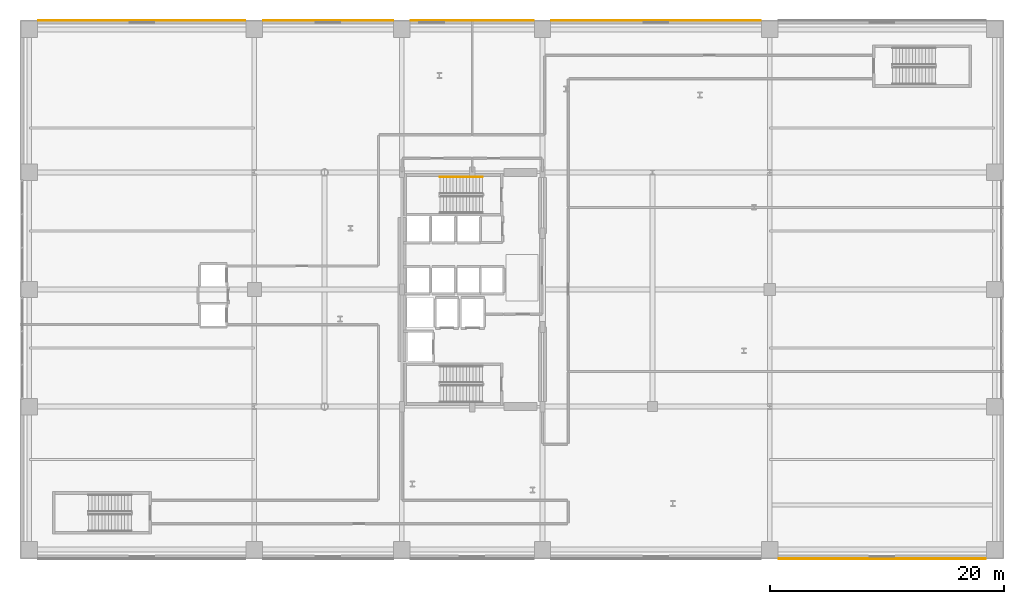
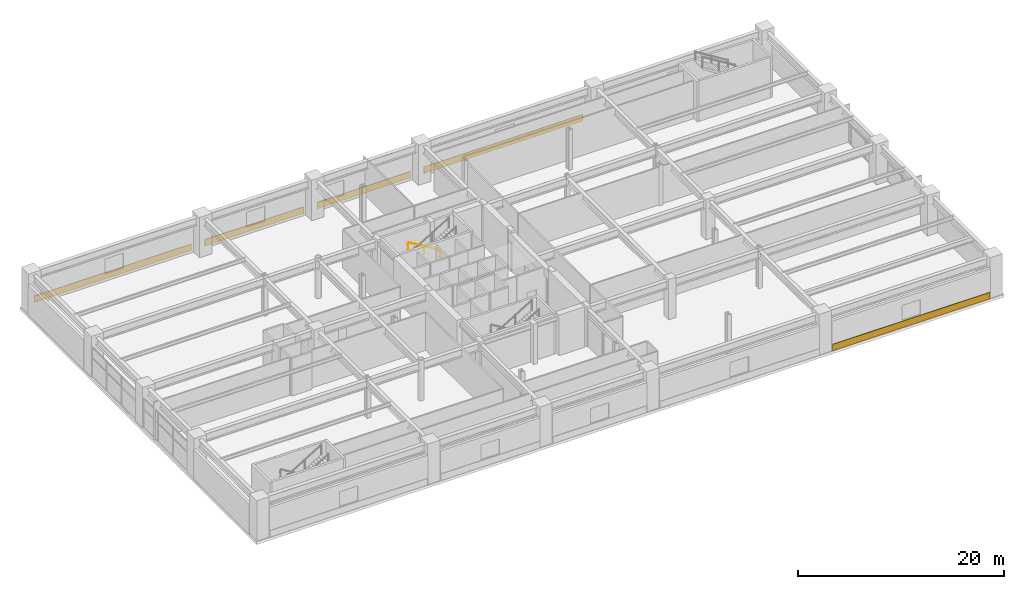
# One storey, part 27 of 28: 5 coverings, 1 railing.
"""IFC4 building model written with IfcOpenShell, lengths in metres."""

from ifc_helpers import new_model, si_unit, direction, frame, origin, origin_2d, place, context, subcontext, project, spatial, rectangle, circle, extrude, material, layer, layer_set, type_object, element, save


model = new_model("IFC4")

# Units and contexts
model_context = context("Model", 3, precision=1e-05, world=origin(), true_north=direction((0.0, 1.0)))
body_context = subcontext(model_context, "Body", "Model", "MODEL_VIEW")
ifc_project = project(units=[si_unit("LENGTHUNIT", "METRE"), si_unit("AREAUNIT", "SQUARE_METRE"), si_unit("VOLUMEUNIT", "CUBIC_METRE"), si_unit("PLANEANGLEUNIT", "RADIAN"), si_unit("MASSUNIT", "GRAM", prefix="KILO")], contexts=[model_context])

# Site, building, storey
site_placement = place(None, origin())
site = spatial("IfcSite", under=ifc_project, at=site_placement, CompositionType="ELEMENT")
building_placement = place(site_placement, origin())
building = spatial("IfcBuilding", under=site, at=building_placement, Name="Soratama Intermodal Tower", CompositionType="ELEMENT")
storey_placement = place(building_placement, frame((0.0, 0.0, 11.39990234375)))
storey = spatial("IfcBuildingStorey", under=building, at=storey_placement, Name="L02", CompositionType="ELEMENT", Elevation=11.39990234375)

# Coverings
ifc_material_1 = material(Name="Honed Andean limestone cladding", Category="masonry")
ifc_layer = layer(ifc_material_1, 0.06005859375)
ifc_layer_set = layer_set([ifc_layer], Name="Honed Andean limestone cladding")
covering_type = type_object("IfcCoveringType", Name="CV-STONE-CLAD", PredefinedType="CLADDING", material=ifc_layer_set)
covering_1_placement = place(storey_placement, frame((10.39990234375, 47.97607421875, 0.0302734375), z_axis=(0.0, 0.0, 1.0), x_axis=(1.0, 0.0, 0.0)))
element("IfcCovering", 1, at=covering_1_placement, inside=storey, type_object=covering_type, Name="L02 N Cladding B1", PredefinedType="CLADDING", context=body_context, shape_type="SweptSolid", body=[
    extrude(rectangle(XDim=17.699951171875, YDim=0.06005859375, at=origin_2d()), origin(), (0.0, 0.0, 1.0), 0.780029296875),
])
covering_2_placement = place(storey_placement, frame((26.300048828125, 47.97607421875, 0.0302734375), z_axis=(0.0, 0.0, 1.0), x_axis=(1.0, 0.0, 0.0)))
element("IfcCovering", 2, at=covering_2_placement, inside=storey, type_object=covering_type, Name="L02 N Cladding B2", PredefinedType="CLADDING", context=body_context, shape_type="SweptSolid", body=[
    extrude(rectangle(XDim=11.10009765625, YDim=0.06005859375, at=origin_2d()), origin(), (0.0, 0.0, 1.0), 0.780029296875),
])
covering_3_placement = place(storey_placement, frame((38.60009765625, 47.97607421875, 0.0302734375), z_axis=(0.0, 0.0, 1.0), x_axis=(1.0, 0.0, 0.0)))
element("IfcCovering", 3, at=covering_3_placement, inside=storey, type_object=covering_type, Name="L02 N Cladding B3", PredefinedType="CLADDING", context=body_context, shape_type="SweptSolid", body=[
    extrude(rectangle(XDim=10.5, YDim=0.06005859375, at=origin_2d()), origin(), (0.0, 0.0, 1.0), 0.780029296875),
])
covering_4_placement = place(storey_placement, frame((54.300048828125, 47.97607421875, 0.0302734375), z_axis=(0.0, 0.0, 1.0), x_axis=(1.0, 0.0, 0.0)))
element("IfcCovering", 4, at=covering_4_placement, inside=storey, type_object=covering_type, Name="L02 N Cladding B4", PredefinedType="CLADDING", context=body_context, shape_type="SweptSolid", body=[
    extrude(rectangle(XDim=17.89990234375, YDim=0.06005859375, at=origin_2d()), origin(), (0.0, 0.0, 1.0), 0.780029296875),
])
covering_5_placement = place(storey_placement, frame((73.60009765625, 2.02392578125, 0.0302734375), z_axis=(0.0, 0.0, 1.0), x_axis=(1.0, 0.0, 0.0)))
element("IfcCovering", 5, at=covering_5_placement, inside=storey, type_object=covering_type, Name="L02 S Cladding B5", PredefinedType="CLADDING", context=body_context, shape_type="SweptSolid", body=[
    extrude(rectangle(XDim=17.699951171875, YDim=0.06005859375, at=origin_2d()), origin(), (0.0, 0.0, 1.0), 0.780029296875),
])

# Railing
ifc_material_2 = material(Name="Brushed stainless steel handrail", Category="steel")
railing_type = type_object("IfcRailingType", Name="RL-STAIR-HAND", PredefinedType="HANDRAIL", material=ifc_material_2)
railing_placement = place(storey_placement, frame((39.5, 34.60009765625, 0.171630859375)))
element("IfcRailing", 6, at=railing_placement, inside=storey, type_object=railing_type, Name="L02 ST-2 stair handrail 1", PredefinedType="HANDRAIL", context=body_context, shape_type="SweptSolid", body=[
    extrude(circle(Radius=0.02392578125, at=origin_2d()), frame((0.0, 0.0, 0.8759765625), z_axis=(-0.852850264322, 0.0, 0.5221555579), x_axis=(0.0, -1.0, 0.0)), (0.0, 0.0, 1.0), 4.267822265625),
    extrude(circle(Radius=0.02099609375, at=origin_2d()), origin(), (0.0, 0.0, 1.0), 0.851806640625),
    extrude(circle(Radius=0.02099609375, at=origin_2d()), frame((-1.81982421875, 0.0, 1.1142578125)), (0.0, 0.0, 1.0), 0.851806640625),
    extrude(circle(Radius=0.02099609375, at=origin_2d()), frame((-3.639892578125, 0.0, 2.228515625)), (0.0, 0.0, 1.0), 0.851806640625),
])

save(model, "model.ifc")
